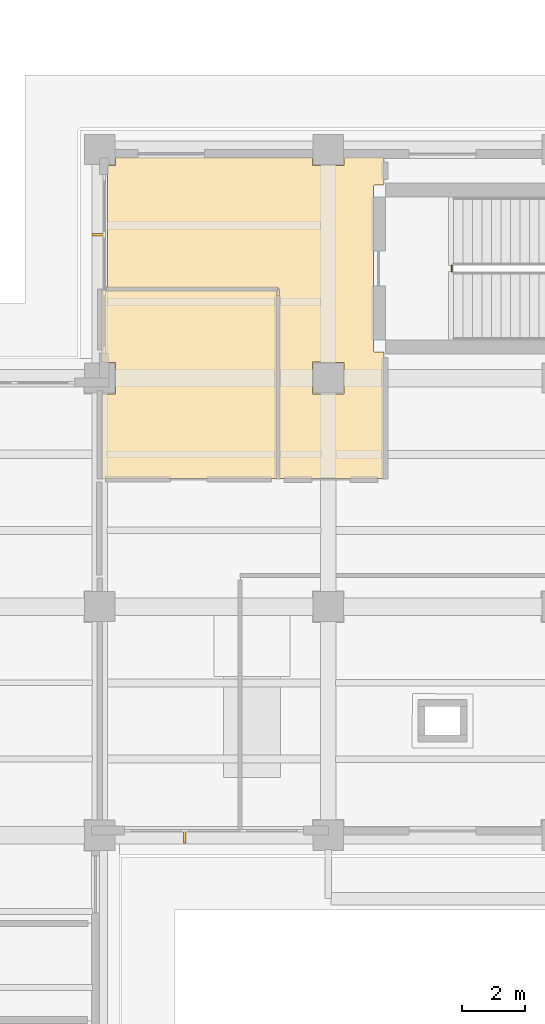
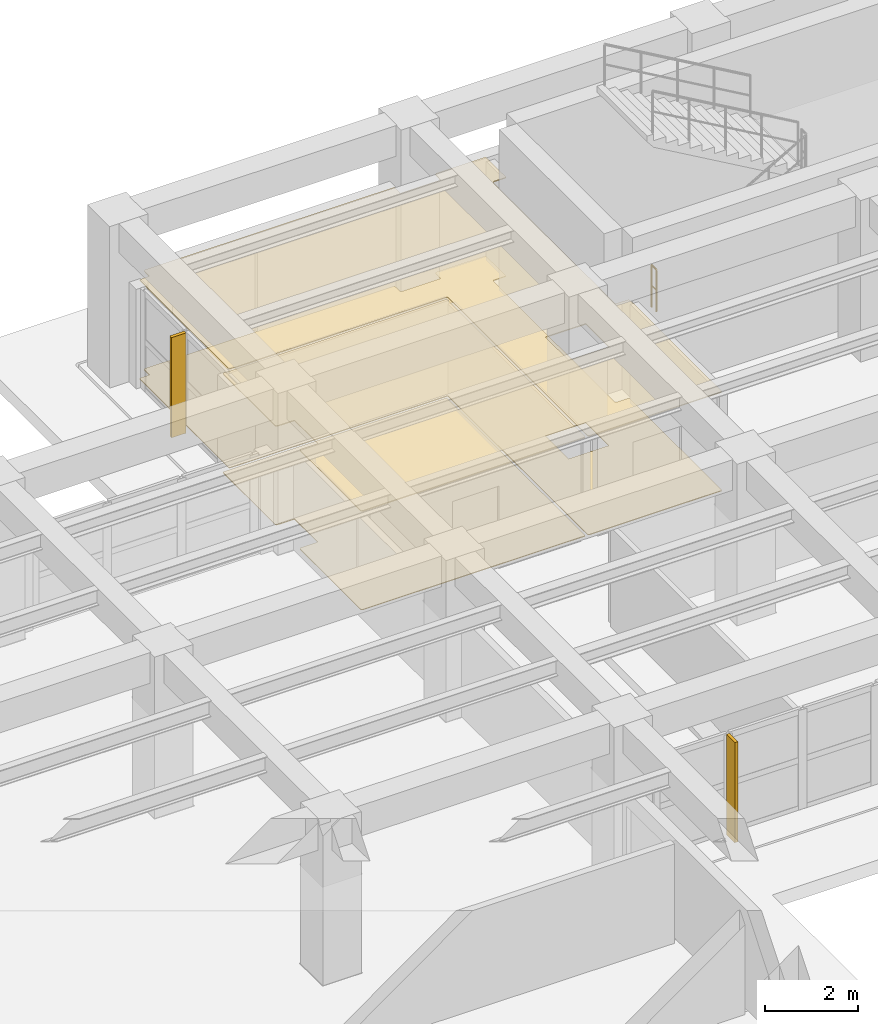
# One storey, part 58 of 64: 4 coverings, 2 shading devices, 1 railing.
"""IFC4 building model written with IfcOpenShell, lengths in metres."""

from ifc_helpers import new_model, si_unit, direction, frame, origin, origin_2d, place, context, subcontext, project, spatial, polyline, rectangle, circle, outline, extrude, material, layer, layer_set, material_profile, profile_set, type_object, element, save


model = new_model("IFC4")

# Units and contexts
model_context = context("Model", 3, precision=1e-05, world=origin(), true_north=direction((0.0, 1.0)))
body_context = subcontext(model_context, "Body", "Model", "MODEL_VIEW")
ifc_project = project(units=[si_unit("LENGTHUNIT", "METRE"), si_unit("AREAUNIT", "SQUARE_METRE"), si_unit("VOLUMEUNIT", "CUBIC_METRE"), si_unit("PLANEANGLEUNIT", "RADIAN"), si_unit("MASSUNIT", "GRAM", prefix="KILO")], contexts=[model_context])

# Site, building, storey
site_placement = place(None, origin())
site = spatial("IfcSite", under=ifc_project, at=site_placement, CompositionType="ELEMENT")
building_placement = place(site_placement, origin())
building = spatial("IfcBuilding", under=site, at=building_placement, Name="Solenvale Faculty of Natural Sciences", CompositionType="ELEMENT")
storey_placement = place(building_placement, origin())
storey = spatial("IfcBuildingStorey", under=building, at=storey_placement, Name="L00", CompositionType="ELEMENT", Elevation=0.0)

# Coverings
ifc_material_1 = material(Name="Acoustic mineral-timber ceiling", Category="wood")
ifc_layer_1 = layer(ifc_material_1, 0.02490234375)
ifc_layer_set_1 = layer_set([ifc_layer_1], Name="Acoustic mineral-timber ceiling")
covering_type_1 = type_object("IfcCoveringType", Name="COV-CEIL-AC25", PredefinedType="CEILING", material=ifc_layer_set_1)
covering_1_placement = place(storey_placement, frame((0.0, 0.0, 2.574951171875)))
element("IfcCovering", 1, at=covering_1_placement, inside=storey, type_object=covering_type_1, Name="L00 Collaborative Seminar Room Acoustic Ceiling", PredefinedType="CEILING", context=body_context, shape_type="SweptSolid", body=[
    extrude(outline(polyline([(120.75, 53.179931640625), (120.77099609375, 53.1708984375), (120.780029296875, 53.14990234375), (120.780029296875, 47.27001953125), (120.77099609375, 47.2490234375), (120.75, 47.239990234375), (115.27001953125, 47.239990234375), (115.2490234375, 47.2490234375), (115.239990234375, 47.27001953125), (115.240966796875, 49.8759765625), (115.26708984375, 49.89990234375), (115.68896484375, 49.89990234375), (115.699951171875, 49.910888671875), (115.698974609375, 50.89404296875), (115.26708984375, 50.89990234375), (115.239990234375, 50.927001953125), (115.239990234375, 53.14990234375), (115.2490234375, 53.1708984375), (115.27001953125, 53.179931640625), (120.75, 53.179931640625)])), origin(), (0.0, 0.0, 1.0), 0.025146484375),
])
covering_2_placement = place(storey_placement, frame((0.0, 0.0, 2.574951171875)))
element("IfcCovering", 2, at=covering_2_placement, inside=storey, type_object=covering_type_1, Name="L00 Protected Exit Vestibule ST-08 Acoustic Ceiling", PredefinedType="CEILING", context=body_context, shape_type="SweptSolid", body=[
    extrude(outline(polyline([(120.821044921875, 53.239990234375), (115.452880859375, 53.2451171875), (115.43994140625, 53.27001953125), (115.445068359375, 57.0869140625), (115.467041015625, 57.10009765625), (115.697021484375, 57.10302734375), (115.699951171875, 57.3330078125), (115.72998046875, 57.360107421875), (121.8701171875, 57.360107421875), (121.89892578125, 57.3359375), (121.89990234375, 57.111083984375), (121.910888671875, 57.10009765625), (122.89306640625, 57.10009765625), (122.89990234375, 57.3330078125), (122.927001953125, 57.360107421875), (124.1298828125, 57.360107421875), (124.153076171875, 57.34912109375), (124.157958984375, 56.4990234375), (124.133056640625, 56.47998046875), (123.845947265625, 56.47998046875), (123.820068359375, 56.449951171875), (123.820068359375, 51.2490234375), (123.844970703125, 51.219970703125), (124.133056640625, 51.219970703125), (124.159912109375, 51.193115234375), (124.159912109375, 47.27001953125), (124.14404296875, 47.243896484375), (120.8701171875, 47.239990234375), (120.843994140625, 47.256103515625), (120.840087890625, 53.219970703125), (120.821044921875, 53.239990234375)]), holes=[polyline([(121.910888671875, 50.89990234375), (121.89990234375, 50.888916015625), (121.903076171875, 49.903076171875), (122.89697265625, 49.903076171875), (122.89697265625, 50.89697265625), (121.910888671875, 50.89990234375)])]), origin(), (0.0, 0.0, 1.0), 0.025146484375),
])
ifc_material_2 = material(Name="Polished slate terrazzo flooring", Category="masonry")
ifc_layer_2 = layer(ifc_material_2, 0.01806640625)
ifc_layer_set_2 = layer_set([ifc_layer_2], Name="Polished slate terrazzo flooring")
covering_type_2 = type_object("IfcCoveringType", Name="COV-FLR-TRZ18", PredefinedType="FLOORING", material=ifc_layer_set_2)
covering_3_placement = place(storey_placement, origin())
element("IfcCovering", 3, at=covering_3_placement, inside=storey, type_object=covering_type_2, Name="L00 Collaborative Seminar Room Floor Finish", PredefinedType="FLOORING", context=body_context, shape_type="SweptSolid", body=[
    extrude(outline(polyline([(120.75, 53.179931640625), (120.77099609375, 53.1708984375), (120.780029296875, 53.14990234375), (120.780029296875, 47.27001953125), (120.77099609375, 47.2490234375), (120.75, 47.239990234375), (115.27001953125, 47.239990234375), (115.2490234375, 47.2490234375), (115.239990234375, 47.27001953125), (115.240966796875, 49.8759765625), (115.26708984375, 49.89990234375), (115.68896484375, 49.89990234375), (115.699951171875, 49.910888671875), (115.698974609375, 50.89404296875), (115.26708984375, 50.89990234375), (115.239990234375, 50.927001953125), (115.239990234375, 53.14990234375), (115.2490234375, 53.1708984375), (115.27001953125, 53.179931640625), (120.75, 53.179931640625)])), origin(), (0.0, 0.0, 1.0), 0.01806640625),
])
covering_4_placement = place(storey_placement, origin())
element("IfcCovering", 4, at=covering_4_placement, inside=storey, type_object=covering_type_2, Name="L00 Protected Exit Vestibule ST-08 Floor Finish", PredefinedType="FLOORING", context=body_context, shape_type="SweptSolid", body=[
    extrude(outline(polyline([(120.821044921875, 53.239990234375), (115.452880859375, 53.2451171875), (115.43994140625, 53.27001953125), (115.445068359375, 57.0869140625), (115.467041015625, 57.10009765625), (115.697021484375, 57.10302734375), (115.699951171875, 57.3330078125), (115.72998046875, 57.360107421875), (121.8701171875, 57.360107421875), (121.89892578125, 57.3359375), (121.89990234375, 57.111083984375), (121.910888671875, 57.10009765625), (122.89306640625, 57.10009765625), (122.89990234375, 57.3330078125), (122.927001953125, 57.360107421875), (124.1298828125, 57.360107421875), (124.153076171875, 57.34912109375), (124.157958984375, 56.4990234375), (124.133056640625, 56.47998046875), (123.845947265625, 56.47998046875), (123.820068359375, 56.449951171875), (123.820068359375, 51.2490234375), (123.844970703125, 51.219970703125), (124.133056640625, 51.219970703125), (124.159912109375, 51.193115234375), (124.159912109375, 47.27001953125), (124.14404296875, 47.243896484375), (120.8701171875, 47.239990234375), (120.843994140625, 47.256103515625), (120.840087890625, 53.219970703125), (120.821044921875, 53.239990234375)]), holes=[polyline([(121.910888671875, 50.89990234375), (121.89990234375, 50.888916015625), (121.903076171875, 49.903076171875), (122.89697265625, 49.903076171875), (122.89697265625, 50.89697265625), (121.910888671875, 50.89990234375)])]), origin(), (0.0, 0.0, 1.0), 0.01806640625),
])

# Railing
ifc_material_3 = material(Name="Stainless steel Grade 304", Category="steel")
railing_type = type_object("IfcRailingType", Name="RL-GRD-1100", PredefinedType="GUARDRAIL", material=ifc_material_3)
railing_placement = place(storey_placement, frame((126.2900390625, 53.75, 0.0)))
element("IfcRailing", 5, at=railing_placement, inside=storey, type_object=railing_type, Name="L00 ST-08 stair guard 4", PredefinedType="GUARDRAIL", context=body_context, shape_type="SweptSolid", body=[
    extrude(circle(Radius=0.02392578125, at=origin_2d()), frame((0.0, 0.0, 1.09619140625), z_axis=(0.0, 1.0, 0.0), x_axis=(-1.0, 0.0, 0.0)), (0.0, 0.0, 1.0), 0.199951171875),
    extrude(circle(Radius=0.01611328125, at=origin_2d()), frame((0.0, 0.0, 0.56005859375), z_axis=(0.0, 1.0, 0.0), x_axis=(-1.0, 0.0, 0.0)), (0.0, 0.0, 1.0), 0.199951171875),
    extrude(circle(Radius=0.02099609375, at=origin_2d()), origin(), (0.0, 0.0, 1.0), 1.072021484375),
    extrude(circle(Radius=0.02099609375, at=origin_2d()), frame((0.0, 0.199951171875, 0.0)), (0.0, 0.0, 1.0), 1.072021484375),
])

# Shading devices
ifc_material_4 = material(Name="Anodised bronze aluminium", Category="aluminium")
ifc_material_profile = material_profile(ifc_material_4, rectangle(XDim=0.080078125, YDim=0.360107421875, at=origin_2d()), Name="ALU-FIN-80x360")
ifc_profile_set = profile_set([ifc_material_profile], Name="Anodised bronze aluminium")
shading_device_type = type_object("IfcShadingDeviceType", Name="SHD-FIN-360", PredefinedType="JALOUSIE", material=ifc_profile_set)
for number, where, z_axis, x_axis, name in (
    (6, (117.88330078125, 35.93994140625, -0.02001953125), (0.0, 0.0, 1.0), (1.0, 0.0, 0.0), "L00 Vertical Brise-Soleil Fin 5.1"),
    (7, (115.139892578125, 54.916748046875, -0.02001953125), (0.0, 0.0, 1.0), (0.0, 1.0, 0.0), "L00 Vertical Brise-Soleil Fin 8.1"),
):
    element("IfcShadingDevice", number, at=place(storey_placement, frame(where, z_axis=z_axis, x_axis=x_axis)), inside=storey, type_object=shading_device_type, Name=name, PredefinedType="JALOUSIE", context=body_context, shape_type="SweptSolid", body=[
        extrude(rectangle(XDim=0.080078125, YDim=0.360107421875, at=origin_2d()), origin(), (0.0, 0.0, 1.0), 2.6201171875),
    ])

save(model, "model.ifc")
